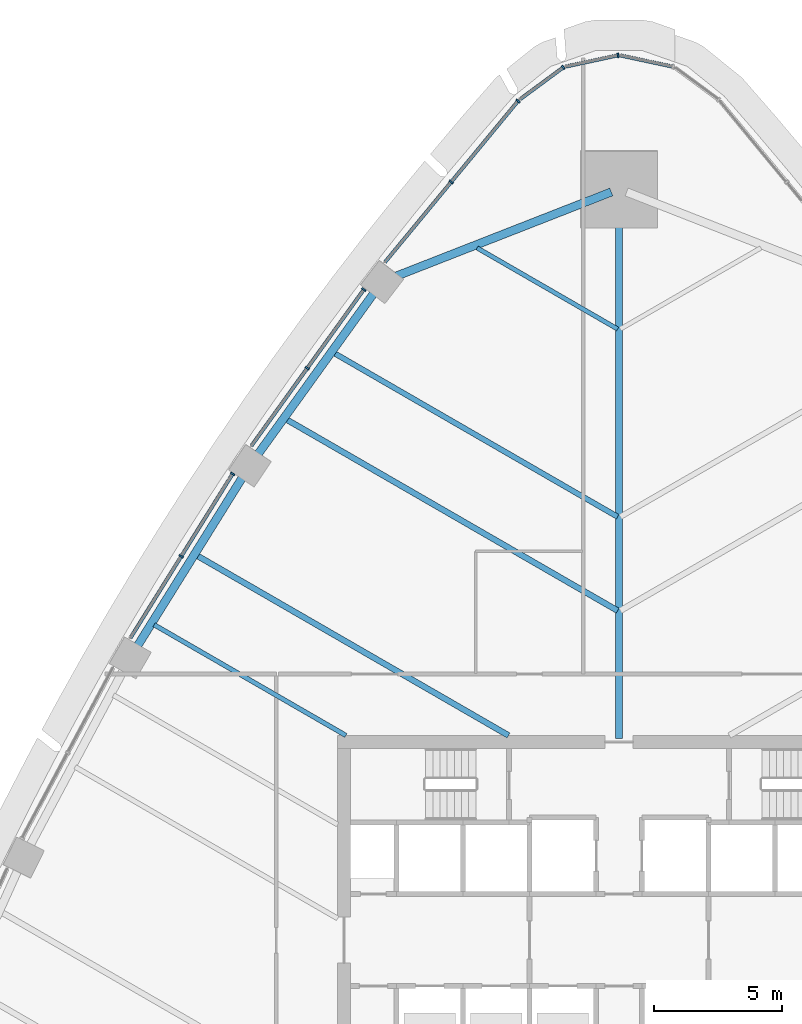
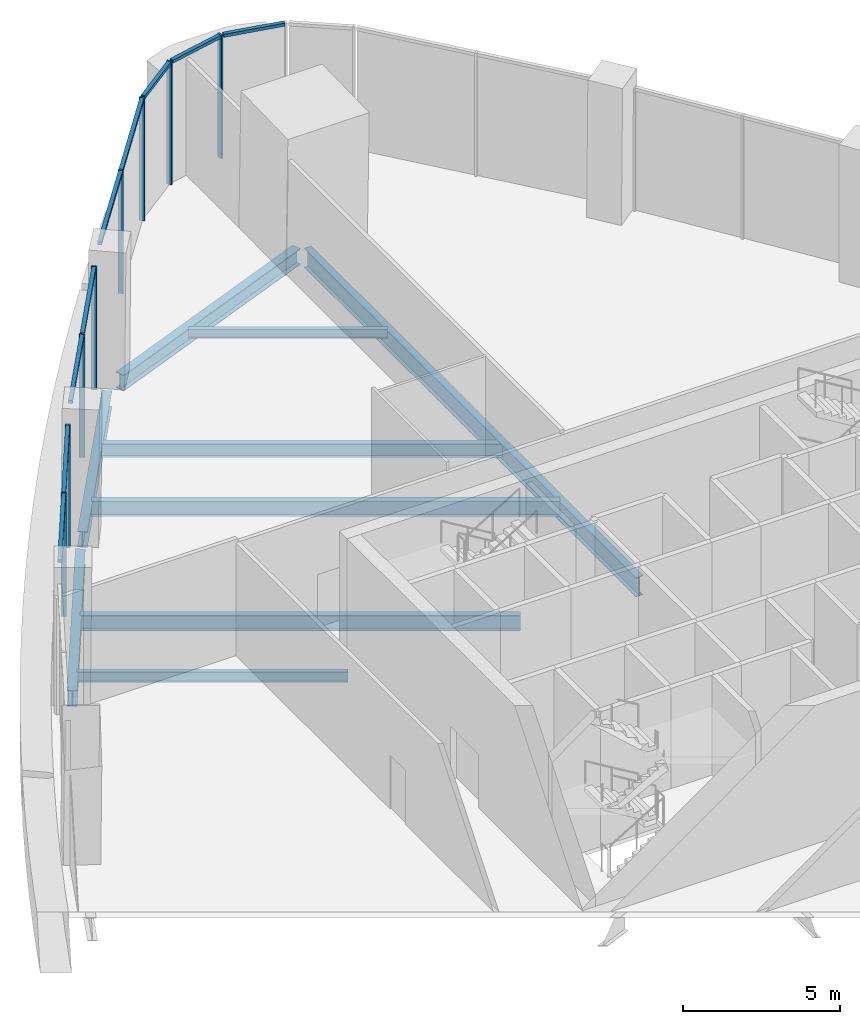
# One storey, part 6 of 16: 17 members, 9 beams, 6 elements without a shape of their own.
"""IFC4 building model written with IfcOpenShell, lengths in metres."""

from ifc_helpers import new_model, si_unit, direction, frame, origin, origin_2d, place, context, subcontext, project, spatial, rectangle, i_section, extrude, material, layer, layer_set, material_profile, profile_set, type_object, element, aggregate, save


model = new_model("IFC4")

# Units and contexts
model_context = context("Model", 3, precision=1e-05, world=origin(), true_north=direction((0.0, 1.0)))
body_context = subcontext(model_context, "Body", "Model", "MODEL_VIEW")
ifc_project = project(units=[si_unit("LENGTHUNIT", "METRE"), si_unit("AREAUNIT", "SQUARE_METRE"), si_unit("VOLUMEUNIT", "CUBIC_METRE"), si_unit("PLANEANGLEUNIT", "RADIAN"), si_unit("MASSUNIT", "GRAM", prefix="KILO")], contexts=[model_context])

# Site, building, storey
site_placement = place(None, origin())
site = spatial("IfcSite", under=ifc_project, at=site_placement, CompositionType="ELEMENT")
building_placement = place(site_placement, origin())
building = spatial("IfcBuilding", under=site, at=building_placement, Name="Sierra Prisma Convention Tower", CompositionType="ELEMENT")
storey_placement = place(building_placement, frame((0.0, 0.0, 107.199951171875)))
storey = spatial("IfcBuildingStorey", under=building, at=storey_placement, Name="L23", CompositionType="ELEMENT", Elevation=107.199951171875)

# Curtain wall, member
ifc_material_1 = material(Name="Aluminium and glass curtain wall", Category="aluminium")
ifc_layer = layer(ifc_material_1, 0.179931640625)
ifc_layer_set = layer_set([ifc_layer], Name="CW-1 Plain shaft curtain wall")
curtain_wall_type = type_object("IfcCurtainWallType", Name="CW-1 Plain shaft curtain wall", PredefinedType="NOTDEFINED", material=ifc_layer_set)
curtain_wall_1_placement = place(storey_placement, origin())
curtain_wall_1 = element("IfcCurtainWall", 1, at=curtain_wall_1_placement, inside=storey, type_object=curtain_wall_type, Name="CW-1 N3 L23", PredefinedType="NOTDEFINED")
ifc_material_2 = material(Name="Aluminium 6063-T6 bronze anodised", Category="aluminium")
ifc_material_profile_1 = material_profile(ifc_material_2, rectangle(XDim=0.179931640625, YDim=0.070068359375, at=origin_2d()), Name="ALU MULLION 70x180")
ifc_profile_set_1 = profile_set([ifc_material_profile_1], Name="Aluminium 6063-T6 bronze anodised")
member_type_1 = type_object("IfcMemberType", Name="CW mullion bronze", PredefinedType="MULLION", material=ifc_profile_set_1)
member_1_placement = place(storey_placement, frame((-0.0341796875, 34.5966796875, 0.0), z_axis=(0.0, 0.0, 1.0), x_axis=(0.210199343942, -0.977658547657, 0.0)))
member_1 = element("IfcMember", 2, at=member_1_placement, type_object=member_type_1, Name="CW-1 mullion N3.1", PredefinedType="MULLION", context=body_context, shape_type="SweptSolid", body=[
    extrude(rectangle(XDim=0.179931640625, YDim=0.070068359375, at=origin_2d()), origin(), (0.0, 0.0, 1.0), 4.800048828125),
])

curtain_wall_2_placement = place(storey_placement, origin())
curtain_wall_2 = element("IfcCurtainWall", 3, at=curtain_wall_2_placement, inside=storey, type_object=curtain_wall_type, Name="CW-1 N4 L23", PredefinedType="NOTDEFINED")
member_2_placement = place(storey_placement, frame((-2.18017578125, 34.12060546875, 0.0), z_axis=(0.0, 0.0, 1.0), x_axis=(0.593448438841, -0.80487200873, 0.0)))
member_2 = element("IfcMember", 4, at=member_2_placement, type_object=member_type_1, Name="CW-1 mullion N4.1", PredefinedType="MULLION", context=body_context, shape_type="SweptSolid", body=[
    extrude(rectangle(XDim=0.179931640625, YDim=0.070068359375, at=origin_2d()), origin(), (0.0, 0.0, 1.0), 4.800048828125),
])

# Curtain wall, members
curtain_wall_3_placement = place(storey_placement, origin())
curtain_wall_3 = element("IfcCurtainWall", 5, at=curtain_wall_3_placement, inside=storey, type_object=curtain_wall_type, Name="CW-1 NW1 L23", PredefinedType="NOTDEFINED")
member_3_placement = place(storey_placement, frame((-3.94580078125, 32.80810546875, 0.0), z_axis=(0.0, 0.0, 1.0), x_axis=(0.771033441088, -0.636794655069, 0.0)))
member_3 = element("IfcMember", 6, at=member_3_placement, type_object=member_type_1, Name="CW-1 mullion NW1.1", PredefinedType="MULLION", context=body_context, shape_type="SweptSolid", body=[
    extrude(rectangle(XDim=0.179931640625, YDim=0.070068359375, at=origin_2d()), origin(), (0.0, 0.0, 1.0), 4.800048828125),
])
member_4_placement = place(storey_placement, frame((-6.560546875, 29.642333984375, 0.0), z_axis=(0.0, 0.0, 1.0), x_axis=(0.771033441088, -0.636794655069, 0.0)))
member_4 = element("IfcMember", 7, at=member_4_placement, type_object=member_type_1, Name="CW-1 mullion NW1.2", PredefinedType="MULLION", context=body_context, shape_type="SweptSolid", body=[
    extrude(rectangle(XDim=0.179931640625, YDim=0.070068359375, at=origin_2d()), origin(), (0.0, 0.0, 1.0), 4.800048828125),
])

curtain_wall_4_placement = place(storey_placement, origin())
curtain_wall_4 = element("IfcCurtainWall", 8, at=curtain_wall_4_placement, inside=storey, type_object=curtain_wall_type, Name="CW-1 NW2 L23", PredefinedType="NOTDEFINED")
member_5_placement = place(storey_placement, frame((-9.976806640625, 25.4345703125, 0.0), z_axis=(0.0, 0.0, 1.0), x_axis=(0.811758193893, -0.583993694014, 0.0)))
member_5 = element("IfcMember", 9, at=member_5_placement, type_object=member_type_1, Name="CW-1 mullion NW2.1", PredefinedType="MULLION", context=body_context, shape_type="SweptSolid", body=[
    extrude(rectangle(XDim=0.179931640625, YDim=0.070068359375, at=origin_2d()), origin(), (0.0, 0.0, 1.0), 4.800048828125),
])
member_6_placement = place(storey_placement, frame((-12.1865234375, 22.36328125, 0.0), z_axis=(0.0, 0.0, 1.0), x_axis=(0.811758193893, -0.583993694014, 0.0)))
member_6 = element("IfcMember", 10, at=member_6_placement, type_object=member_type_1, Name="CW-1 mullion NW2.2", PredefinedType="MULLION", context=body_context, shape_type="SweptSolid", body=[
    extrude(rectangle(XDim=0.179931640625, YDim=0.070068359375, at=origin_2d()), origin(), (0.0, 0.0, 1.0), 4.800048828125),
])

curtain_wall_5_placement = place(storey_placement, origin())
curtain_wall_5 = element("IfcCurtainWall", 11, at=curtain_wall_5_placement, inside=storey, type_object=curtain_wall_type, Name="CW-1 NW3 L23", PredefinedType="NOTDEFINED")
member_7_placement = place(storey_placement, frame((-15.109375, 18.2265625, 0.0), z_axis=(0.0, 0.0, 1.0), x_axis=(0.848873506937, -0.528596035948, 0.0)))
member_7 = element("IfcMember", 12, at=member_7_placement, type_object=member_type_1, Name="CW-1 mullion NW3.1", PredefinedType="MULLION", context=body_context, shape_type="SweptSolid", body=[
    extrude(rectangle(XDim=0.179931640625, YDim=0.070068359375, at=origin_2d()), origin(), (0.0, 0.0, 1.0), 4.800048828125),
])
member_8_placement = place(storey_placement, frame((-17.117919921875, 15.0009765625, 0.0), z_axis=(0.0, 0.0, 1.0), x_axis=(0.848873506937, -0.528596035948, 0.0)))
member_8 = element("IfcMember", 13, at=member_8_placement, type_object=member_type_1, Name="CW-1 mullion NW3.2", PredefinedType="MULLION", context=body_context, shape_type="SweptSolid", body=[
    extrude(rectangle(XDim=0.179931640625, YDim=0.070068359375, at=origin_2d()), origin(), (0.0, 0.0, 1.0), 4.800048828125),
])

# Curtain wall, member
curtain_wall_6_placement = place(storey_placement, origin())
curtain_wall_6 = element("IfcCurtainWall", 14, at=curtain_wall_6_placement, inside=storey, type_object=curtain_wall_type, Name="CW-1 N2 L23", PredefinedType="NOTDEFINED")
ifc_material_3 = material(Name="Aluminium 6063-T6 bronze anodised", Category="aluminium")
ifc_material_profile_2 = material_profile(ifc_material_3, rectangle(XDim=0.139892578125, YDim=0.1201171875, at=origin_2d()), Name="ALU TRANSOM 120x140")
ifc_profile_set_2 = profile_set([ifc_material_profile_2], Name="Aluminium 6063-T6 bronze anodised")
member_type_2 = type_object("IfcMemberType", Name="CW transom bronze", PredefinedType="USERDEFINED", material=ifc_profile_set_2)
member_9_placement = place(storey_placement, frame((2.08349609375, 34.15625, 4.739990234375), z_axis=(-0.977673959786, 0.210127647766, 0.0), x_axis=(-0.210127647766, -0.977673959786, 0.0)))
member_9 = element("IfcMember", 15, at=member_9_placement, type_object=member_type_2, Name="CW-1 transom N2.1", ObjectType="TRANSOM", PredefinedType="USERDEFINED", context=body_context, shape_type="SweptSolid", body=[
    extrude(rectangle(XDim=0.139892578125, YDim=0.1201171875, at=origin_2d()), origin(), (0.0, 0.0, 1.0), 2.06103515625),
])
aggregate(curtain_wall_6, [member_9])

# Member
member_10_placement = place(storey_placement, frame((-0.068359375, 34.58935546875, 4.739990234375), z_axis=(-0.977673959786, -0.210127647766, 0.0), x_axis=(0.210127647766, -0.977673959786, 0.0)))
member_10 = element("IfcMember", 16, at=member_10_placement, type_object=member_type_2, Name="CW-1 transom N3.1", ObjectType="TRANSOM", PredefinedType="USERDEFINED", context=body_context, shape_type="SweptSolid", body=[
    extrude(rectangle(XDim=0.139892578125, YDim=0.1201171875, at=origin_2d()), origin(), (0.0, 0.0, 1.0), 2.06103515625),
])

aggregate(curtain_wall_1, [member_1, member_10])

member_11_placement = place(storey_placement, frame((-2.208251953125, 34.099853515625, 4.739990234375), z_axis=(-0.804877166804, -0.593441443074, 0.0), x_axis=(0.593441443074, -0.804877166804, 0.0)))
member_11 = element("IfcMember", 17, at=member_11_placement, type_object=member_type_2, Name="CW-1 transom N4.1", ObjectType="TRANSOM", PredefinedType="USERDEFINED", context=body_context, shape_type="SweptSolid", body=[
    extrude(rectangle(XDim=0.139892578125, YDim=0.1201171875, at=origin_2d()), origin(), (0.0, 0.0, 1.0), 2.06103515625),
])

aggregate(curtain_wall_2, [member_2, member_11])

member_12_placement = place(storey_placement, frame((-3.968017578125, 32.78125, 4.739990234375), z_axis=(-0.636804849916, -0.771025021075, 0.0), x_axis=(0.771025021075, -0.636804849916, 0.0)))
member_12 = element("IfcMember", 18, at=member_12_placement, type_object=member_type_2, Name="CW-1 transom NW1.1", ObjectType="TRANSOM", PredefinedType="USERDEFINED", context=body_context, shape_type="SweptSolid", body=[
    extrude(rectangle(XDim=0.139892578125, YDim=0.1201171875, at=origin_2d()), origin(), (0.0, 0.0, 1.0), 4.036376953125),
])

member_13_placement = place(storey_placement, frame((-6.582763671875, 29.615234375, 4.739990234375), z_axis=(-0.636804849916, -0.771025021075, 0.0), x_axis=(0.771025021075, -0.636804849916, 0.0)))
member_13 = element("IfcMember", 19, at=member_13_placement, type_object=member_type_2, Name="CW-1 transom NW1.2", ObjectType="TRANSOM", PredefinedType="USERDEFINED", context=body_context, shape_type="SweptSolid", body=[
    extrude(rectangle(XDim=0.139892578125, YDim=0.1201171875, at=origin_2d()), origin(), (0.0, 0.0, 1.0), 4.036376953125),
])

aggregate(curtain_wall_3, [member_3, member_4, member_12, member_13])

member_14_placement = place(storey_placement, frame((-9.997314453125, 25.40625, 4.739990234375), z_axis=(-0.583977358766, -0.811769945519, 0.0), x_axis=(0.811769945519, -0.583977358766, 0.0)))
member_14 = element("IfcMember", 20, at=member_14_placement, type_object=member_type_2, Name="CW-1 transom NW2.1", ObjectType="TRANSOM", PredefinedType="USERDEFINED", context=body_context, shape_type="SweptSolid", body=[
    extrude(rectangle(XDim=0.139892578125, YDim=0.1201171875, at=origin_2d()), origin(), (0.0, 0.0, 1.0), 3.713623046875),
])

member_15_placement = place(storey_placement, frame((-12.20703125, 22.334716796875, 4.739990234375), z_axis=(-0.58400852487, -0.811747524098, 0.0), x_axis=(0.811747524098, -0.58400852487, 0.0)))
member_15 = element("IfcMember", 21, at=member_15_placement, type_object=member_type_2, Name="CW-1 transom NW2.2", ObjectType="TRANSOM", PredefinedType="USERDEFINED", context=body_context, shape_type="SweptSolid", body=[
    extrude(rectangle(XDim=0.139892578125, YDim=0.1201171875, at=origin_2d()), origin(), (0.0, 0.0, 1.0), 3.71337890625),
])

aggregate(curtain_wall_4, [member_5, member_6, member_14, member_15])

member_16_placement = place(storey_placement, frame((-15.1279296875, 18.19677734375, 4.739990234375), z_axis=(-0.528586043558, -0.848879729147, 0.0), x_axis=(0.848879729147, -0.528586043558, 0.0)))
member_16 = element("IfcMember", 22, at=member_16_placement, type_object=member_type_2, Name="CW-1 transom NW3.1", ObjectType="TRANSOM", PredefinedType="USERDEFINED", context=body_context, shape_type="SweptSolid", body=[
    extrude(rectangle(XDim=0.139892578125, YDim=0.1201171875, at=origin_2d()), origin(), (0.0, 0.0, 1.0), 3.729736328125),
])

member_17_placement = place(storey_placement, frame((-17.136474609375, 14.97119140625, 4.739990234375), z_axis=(-0.528586043558, -0.848879729147, 0.0), x_axis=(0.848879729147, -0.528586043558, 0.0)))
member_17 = element("IfcMember", 23, at=member_17_placement, type_object=member_type_2, Name="CW-1 transom NW3.2", ObjectType="TRANSOM", PredefinedType="USERDEFINED", context=body_context, shape_type="SweptSolid", body=[
    extrude(rectangle(XDim=0.139892578125, YDim=0.1201171875, at=origin_2d()), origin(), (0.0, 0.0, 1.0), 3.729736328125),
])

aggregate(curtain_wall_5, [member_7, member_8, member_16, member_17])

# Beams
ifc_material_4 = material(Name="Steel ASTM A992 Gr 50", Category="steel")
ifc_material_profile_3 = material_profile(ifc_material_4, i_section(OverallWidth=0.172119140625, OverallDepth=0.35791015625, WebThickness=0.0078125, FlangeThickness=0.01318359375, at=origin_2d()), Name="W360x57")
ifc_profile_set_3 = profile_set([ifc_material_profile_3], Name="Steel ASTM A992 Gr 50")
beam_type_1 = type_object("IfcBeamType", Name="Floor joist W360x57", PredefinedType="JOIST", material=ifc_profile_set_3)
beam_1_placement = place(storey_placement, frame((-5.547119140625, 27.064453125, -0.328857421875), z_axis=(0.86602024565, -0.500008934044, 0.0), x_axis=(0.500008934044, 0.86602024565, 0.0)))
element("IfcBeam", 24, at=beam_1_placement, inside=storey, type_object=beam_type_1, Name="Floor joist L23 NW02", PredefinedType="JOIST", context=body_context, shape_type="SweptSolid", body=[
    extrude(i_section(OverallWidth=0.172119140625, OverallDepth=0.35791015625, WebThickness=0.0078125, FlangeThickness=0.01318359375, at=origin_2d()), origin(), (0.0, 0.0, 1.0), 6.34423828125),
])
ifc_material_5 = material(Name="Steel ASTM A992 Gr 50", Category="steel")
ifc_material_profile_4 = material_profile(ifc_material_5, i_section(OverallWidth=0.177978515625, OverallDepth=0.406982421875, WebThickness=0.0078125, FlangeThickness=0.0126953125, at=origin_2d()), Name="W410x60")
ifc_profile_set_4 = profile_set([ifc_material_profile_4], Name="Steel ASTM A992 Gr 50")
beam_type_2 = type_object("IfcBeamType", Name="Floor joist W410x60", PredefinedType="JOIST", material=ifc_profile_set_4)
beam_2_placement = place(storey_placement, frame((-18.177490234375, 12.330322265625, -0.353515625), z_axis=(0.866022689266, -0.500004701654, 0.0), x_axis=(0.500004701654, 0.866022689266, 0.0)))
element("IfcBeam", 25, at=beam_2_placement, inside=storey, type_object=beam_type_2, Name="Floor joist L23 NW08", PredefinedType="JOIST", context=body_context, shape_type="SweptSolid", body=[
    extrude(i_section(OverallWidth=0.177978515625, OverallDepth=0.406982421875, WebThickness=0.0078125, FlangeThickness=0.0126953125, at=origin_2d()), origin(), (0.0, 0.0, 1.0), 8.66064453125),
])
ifc_material_6 = material(Name="Steel ASTM A992 Gr 50", Category="steel")
ifc_material_profile_5 = material_profile(ifc_material_6, i_section(OverallWidth=0.208984375, OverallDepth=0.532958984375, WebThickness=0.01025390625, FlangeThickness=0.015625, at=origin_2d()), Name="W530x92")
ifc_profile_set_5 = profile_set([ifc_material_profile_5], Name="Steel ASTM A992 Gr 50")
beam_type_3 = type_object("IfcBeamType", Name="Floor joist W530x92", PredefinedType="JOIST", material=ifc_profile_set_5)
beam_3_placement = place(storey_placement, frame((-11.13427734375, 22.9482421875, -0.41650390625), z_axis=(0.866020044828, -0.500009281869, 0.0), x_axis=(0.500009281869, 0.866020044828, 0.0)))
element("IfcBeam", 26, at=beam_3_placement, inside=storey, type_object=beam_type_3, Name="Floor joist L23 NW04", PredefinedType="JOIST", context=body_context, shape_type="SweptSolid", body=[
    extrude(i_section(OverallWidth=0.208984375, OverallDepth=0.532958984375, WebThickness=0.01025390625, FlangeThickness=0.015625, at=origin_2d()), origin(), (0.0, 0.0, 1.0), 12.795654296875),
])
ifc_material_7 = material(Name="Steel ASTM A992 Gr 50", Category="steel")
ifc_material_profile_6 = material_profile(ifc_material_7, i_section(OverallWidth=0.22802734375, OverallDepth=0.60302734375, WebThickness=0.010498046875, FlangeThickness=0.014892578125, at=origin_2d()), Name="W610x101")
ifc_profile_set_6 = profile_set([ifc_material_profile_6], Name="Steel ASTM A992 Gr 50")
beam_type_4 = type_object("IfcBeamType", Name="Floor joist W610x101", PredefinedType="JOIST", material=ifc_profile_set_6)
beam_4_placement = place(storey_placement, frame((-13.000244140625, 20.3544921875, -0.451416015625), z_axis=(0.866025682925, -0.499999516514, 0.0), x_axis=(0.499999516514, 0.866025682925, 0.0)))
element("IfcBeam", 27, at=beam_4_placement, inside=storey, type_object=beam_type_4, Name="Floor joist L23 NW05", PredefinedType="JOIST", context=body_context, shape_type="SweptSolid", body=[
    extrude(i_section(OverallWidth=0.22802734375, OverallDepth=0.60302734375, WebThickness=0.010498046875, FlangeThickness=0.014892578125, at=origin_2d()), origin(), (0.0, 0.0, 1.0), 14.9501953125),
])
beam_5_placement = place(storey_placement, frame((-16.495849609375, 15.030517578125, -0.451416015625), z_axis=(0.86602163984, -0.500006519287, 0.0), x_axis=(0.500006519287, 0.86602163984, 0.0)))
element("IfcBeam", 28, at=beam_5_placement, inside=storey, type_object=beam_type_4, Name="Floor joist L23 NW07", PredefinedType="JOIST", context=body_context, shape_type="SweptSolid", body=[
    extrude(i_section(OverallWidth=0.22802734375, OverallDepth=0.60302734375, WebThickness=0.010498046875, FlangeThickness=0.014892578125, at=origin_2d()), origin(), (0.0, 0.0, 1.0), 14.060791015625),
])
ifc_material_8 = material(Name="Steel ASTM A992 Gr 50", Category="steel")
ifc_material_profile_7 = material_profile(ifc_material_8, i_section(OverallWidth=0.264892578125, OverallDepth=0.7529296875, WebThickness=0.01318359375, FlangeThickness=0.01708984375, at=origin_2d()), Name="W760x147")
ifc_profile_set_7 = profile_set([ifc_material_profile_7], Name="Steel ASTM A992 Gr 50")
beam_type_5 = type_object("IfcBeamType", Name="Radial girder W760x147", PredefinedType="BEAM", material=ifc_profile_set_7)
beam_6_placement = place(storey_placement, frame((0.0, 29.068359375, -0.5263671875), z_axis=(0.0, -1.0, 0.0), x_axis=(1.0, 0.0, 0.0)))
element("IfcBeam", 29, at=beam_6_placement, inside=storey, type_object=beam_type_5, Name="Radial girder L23 N", PredefinedType="BEAM", context=body_context, shape_type="SweptSolid", body=[
    extrude(i_section(OverallWidth=0.264892578125, OverallDepth=0.7529296875, WebThickness=0.01318359375, FlangeThickness=0.01708984375, at=origin_2d()), origin(), (0.0, 0.0, 1.0), 21.1884765625),
])
ifc_material_9 = material(Name="Steel ASTM A992 Gr 50", Category="steel")
ifc_material_profile_8 = material_profile(ifc_material_9, i_section(OverallWidth=0.324951171875, OverallDepth=0.615966796875, WebThickness=0.013916015625, FlangeThickness=0.021484375, at=origin_2d()), Name="W610x174")
ifc_profile_set_8 = profile_set([ifc_material_profile_8], Name="Steel ASTM A992 Gr 50")
beam_type_6 = type_object("IfcBeamType", Name="Spandrel beam W610x174", PredefinedType="BEAM", material=ifc_profile_set_8)
beam_7_placement = place(storey_placement, frame((-0.300048828125, 29.2509765625, -0.4580078125), z_axis=(-0.931200562026, -0.364507219795, 0.0), x_axis=(0.364507219795, -0.931200562026, 0.0)))
element("IfcBeam", 30, at=beam_7_placement, inside=storey, type_object=beam_type_6, Name="Spandrel L23-13", PredefinedType="BEAM", context=body_context, shape_type="SweptSolid", body=[
    extrude(i_section(OverallWidth=0.324951171875, OverallDepth=0.615966796875, WebThickness=0.013916015625, FlangeThickness=0.021484375, at=origin_2d()), origin(), (0.0, 0.0, 1.0), 9.04541015625),
])
for number, where, z_axis, x_axis, name in (
    (31, (-9.54345703125, 25.3525390625, -0.4580078125), (-0.583984532445, -0.811764784814, 0.0), (0.811764784814, -0.583984532445, 0.0), "Spandrel L23-14"),
    (32, (-14.6884765625, 18.14599609375, -0.4580078125), (-0.528600076966, -0.84887099057, 0.0), (0.84887099057, -0.528600076966, 0.0), "Spandrel L23-15"),
):
    element("IfcBeam", number, at=place(storey_placement, frame(where, z_axis=z_axis, x_axis=x_axis)), inside=storey, type_object=beam_type_6, Name=name, PredefinedType="BEAM", context=body_context, shape_type="SweptSolid", body=[
        extrude(i_section(OverallWidth=0.324951171875, OverallDepth=0.615966796875, WebThickness=0.013916015625, FlangeThickness=0.021484375, at=origin_2d()), origin(), (0.0, 0.0, 1.0), 7.89501953125),
    ])

save(model, "model.ifc")
